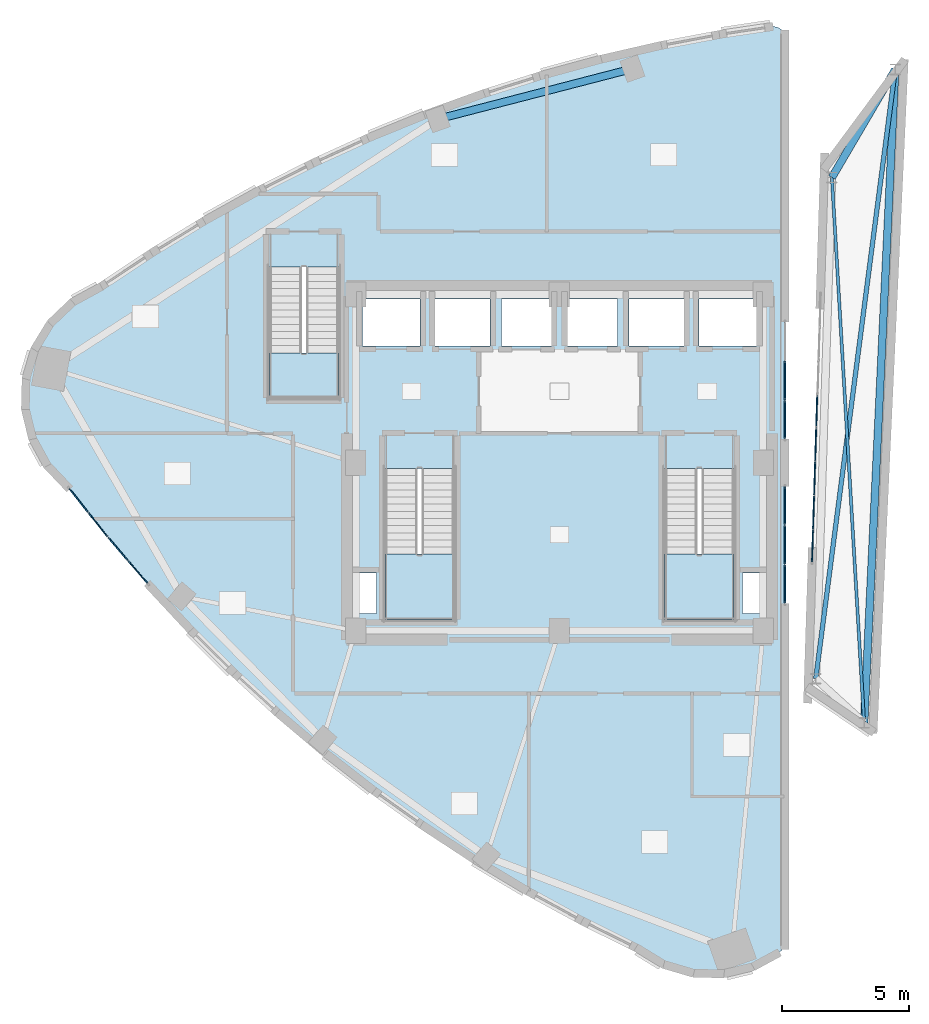
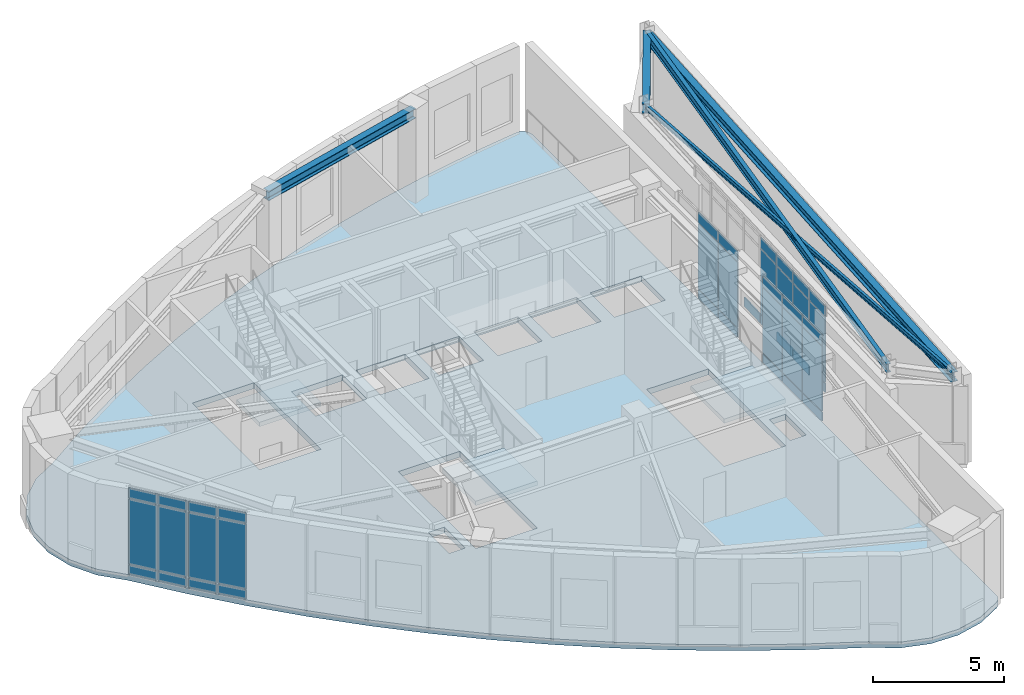
# One storey, part 12 of 19: 40 plates, 5 beams, 4 slabs, 8 elements without a shape of their own.
"""IFC4 building model written with IfcOpenShell, lengths in metres."""

from ifc_helpers import new_model, si_unit, direction, frame, origin, origin_2d, place, context, subcontext, project, spatial, polyline, rectangle, i_section, outline, extrude, material, layer, layer_set, material_profile, profile_set, type_object, element, aggregate, save


model = new_model("IFC4")

# Units and contexts
model_context = context("Model", 3, precision=1e-05, world=origin(), true_north=direction((0.0, 1.0)))
body_context = subcontext(model_context, "Body", "Model", "MODEL_VIEW")
ifc_project = project(units=[si_unit("LENGTHUNIT", "METRE"), si_unit("AREAUNIT", "SQUARE_METRE"), si_unit("VOLUMEUNIT", "CUBIC_METRE"), si_unit("PLANEANGLEUNIT", "RADIAN"), si_unit("MASSUNIT", "GRAM", prefix="KILO")], contexts=[model_context])

# Site, building, storey
site_placement = place(None, origin())
site = spatial("IfcSite", under=ifc_project, at=site_placement, CompositionType="ELEMENT")
building_placement = place(site_placement, origin())
building = spatial("IfcBuilding", under=site, at=building_placement, Name="Ndelora Gate Hotel", CompositionType="ELEMENT")
storey_placement = place(building_placement, frame((0.0, 0.0, 290.39990234375)))
storey = spatial("IfcBuildingStorey", under=building, at=storey_placement, Name="L72", CompositionType="ELEMENT", Elevation=290.39990234375)

# Beams
ifc_material_1 = material(Name="Steel S355", Category="steel")
ifc_material_profile_1 = material_profile(ifc_material_1, i_section(OverallWidth=0.1201171875, OverallDepth=0.239990234375, WebThickness=0.006103515625, FlangeThickness=0.009765625, FilletRadius=0.014892578125, at=origin_2d()), Name="IPE 240")
ifc_profile_set_1 = profile_set([ifc_material_profile_1], Name="Steel S355")
beam_type_1 = type_object("IfcBeamType", Name="BM-CRN-240", PredefinedType="SPANDREL", material=ifc_profile_set_1)
beam_1_placement = place(storey_placement, frame((11.956787109375, -10.212158203125, 4.0), z_axis=(-0.058984351472, 0.998258907439, 0.0), x_axis=(-0.998258907439, -0.058984351472, 0.0)))
element("IfcBeam", 1, at=beam_1_placement, inside=storey, type_object=beam_type_1, Name="L72 structural beam KB-1", PredefinedType="SPANDREL", context=body_context, shape_type="SweptSolid", body=[
    extrude(i_section(OverallWidth=0.1201171875, OverallDepth=0.239990234375, WebThickness=0.006103515625, FlangeThickness=0.009765625, FilletRadius=0.014892578125, at=origin_2d()), origin(), (0.0, 0.0, 1.0), 21.4404296875),
])
ifc_material_profile_2 = material_profile(ifc_material_1, i_section(OverallWidth=0.179931640625, OverallDepth=0.39990234375, WebThickness=0.008544921875, FlangeThickness=0.013427734375, FilletRadius=0.02099609375, at=origin_2d()), Name="IPE 400")
ifc_profile_set_2 = profile_set([ifc_material_profile_2], Name="Steel S355")
beam_type_2 = type_object("IfcBeamType", Name="BM-RAD-400", PredefinedType="BEAM", material=ifc_profile_set_2)
beam_2_placement = place(storey_placement, frame((10.0576171875, -8.478271484375, 3.920166015625), z_axis=(0.129384639667, 0.991594481135, 0.0), x_axis=(-0.991594481135, 0.129384639667, 0.0)))
element("IfcBeam", 2, at=beam_2_placement, inside=storey, type_object=beam_type_2, Name="L72 structural beam FB-5", PredefinedType="BEAM", context=body_context, shape_type="SweptSolid", body=[
    extrude(i_section(OverallWidth=0.179931640625, OverallDepth=0.39990234375, WebThickness=0.008544921875, FlangeThickness=0.013427734375, FilletRadius=0.02099609375, at=origin_2d()), origin(), (0.0, 0.0, 1.0), 24.109375),
])
ifc_material_profile_3 = material_profile(ifc_material_1, i_section(OverallWidth=0.300048828125, OverallDepth=0.449951171875, WebThickness=0.013916015625, FlangeThickness=0.02587890625, FilletRadius=0.027099609375, at=origin_2d()), Name="HEB 450")
ifc_profile_set_3 = profile_set([ifc_material_profile_3], Name="Steel S355")
beam_type_3 = type_object("IfcBeamType", Name="BM-RING-450", PredefinedType="SPANDREL", material=ifc_profile_set_3)
beam_3_placement = place(storey_placement, frame((2.865478515625, 15.461181640625, 3.905029296875), z_axis=(-0.968064499617, -0.250701265615, 0.0), x_axis=(0.250701265615, -0.968064499617, 0.0)))
element("IfcBeam", 3, at=beam_3_placement, inside=storey, type_object=beam_type_3, Name="L72 structural beam RB-5", PredefinedType="SPANDREL", context=body_context, shape_type="SweptSolid", body=[
    extrude(i_section(OverallWidth=0.300048828125, OverallDepth=0.449951171875, WebThickness=0.013916015625, FlangeThickness=0.02587890625, FilletRadius=0.027099609375, at=origin_2d()), origin(), (0.0, 0.0, 1.0), 7.891845703125),
])
beam_4_placement = place(storey_placement, frame((11.956787109375, -10.212158203125, 3.89501953125), z_axis=(0.047535325718, 0.998869557454, 0.0), x_axis=(-0.998869557454, 0.047535325718, 0.0)))
element("IfcBeam", 4, at=beam_4_placement, inside=storey, type_object=beam_type_3, Name="L72 structural beam RB-5", PredefinedType="SPANDREL", context=body_context, shape_type="SweptSolid", body=[
    extrude(i_section(OverallWidth=0.300048828125, OverallDepth=0.449951171875, WebThickness=0.013916015625, FlangeThickness=0.02587890625, FilletRadius=0.027099609375, at=origin_2d()), origin(), (0.0, 0.0, 1.0), 25.669677734375),
])
beam_5_placement = place(storey_placement, frame((13.177001953125, 15.428466796875, 3.89501953125), z_axis=(-0.505838113207, -0.862628427092, 0.0), x_axis=(0.862628427092, -0.505838113207, 0.0)))
element("IfcBeam", 5, at=beam_5_placement, inside=storey, type_object=beam_type_3, Name="L72 structural beam RB-5", PredefinedType="SPANDREL", context=body_context, shape_type="SweptSolid", body=[
    extrude(i_section(OverallWidth=0.300048828125, OverallDepth=0.449951171875, WebThickness=0.013916015625, FlangeThickness=0.02587890625, FilletRadius=0.027099609375, at=origin_2d()), origin(), (0.0, 0.0, 1.0), 4.912353515625),
])

# Curtain wall, plates
ifc_material_2 = material(Name="Bronze Anodised Unitised Aluminium and Low-E Glass", Category="aluminium")
ifc_layer_1 = layer(ifc_material_2, 0.199951171875)
ifc_layer_set_1 = layer_set([ifc_layer_1], Name="Bronze Anodised Unitised Aluminium and Low-E Glass")
curtain_wall_type_1 = type_object("IfcCurtainWallType", Name="CW-SYS-8", PredefinedType="NOTDEFINED", material=ifc_layer_set_1)
curtain_wall_1_placement = place(storey_placement, origin())
curtain_wall_1 = element("IfcCurtainWall", 6, at=curtain_wall_1_placement, inside=storey, type_object=curtain_wall_type_1, Name="L72 Split-Crown West Cleft Lantern Curtain Wall CW8-1", PredefinedType="NOTDEFINED")
ifc_material_3 = material(Name="Solar-Control Low-E Insulated Glazing", Category="glass")
ifc_layer_2 = layer(ifc_material_3, 0.048095703125)
ifc_layer_set_2 = layer_set([ifc_layer_2], Name="Solar-Control Low-E Insulated Glazing")
plate_type = type_object("IfcPlateType", Name="PL-CW-GLZ36", PredefinedType="CURTAIN_PANEL", material=ifc_layer_set_2)
plate_1_placement = place(storey_placement, frame((8.85009765625, -4.760009765625, 0.05419921875), z_axis=(0.0, 0.0, 1.0), x_axis=(0.0, 1.0, 0.0)))
plate_1 = element("IfcPlate", 7, at=plate_1_placement, type_object=plate_type, Name="CW8 panel 1.1", PredefinedType="CURTAIN_PANEL", context=body_context, shape_type="SweptSolid", body=[
    extrude(rectangle(XDim=1.471923828125, YDim=0.048095703125, at=origin_2d()), origin(), (0.0, 0.0, 1.0), 0.422119140625),
])
plate_2_placement = place(storey_placement, frame((8.85009765625, -4.760009765625, 0.52392578125), z_axis=(0.0, 0.0, 1.0), x_axis=(0.0, 1.0, 0.0)))
plate_2 = element("IfcPlate", 8, at=plate_2_placement, type_object=plate_type, Name="CW8 panel 1.2", PredefinedType="CURTAIN_PANEL", context=body_context, shape_type="SweptSolid", body=[
    extrude(rectangle(XDim=1.471923828125, YDim=0.048095703125, at=origin_2d()), origin(), (0.0, 0.0, 1.0), 3.031982421875),
])
plate_3_placement = place(storey_placement, frame((8.85009765625, -4.760009765625, 3.60400390625), z_axis=(0.0, 0.0, 1.0), x_axis=(0.0, 1.0, 0.0)))
plate_3 = element("IfcPlate", 9, at=plate_3_placement, type_object=plate_type, Name="CW8 panel 1.3", PredefinedType="CURTAIN_PANEL", context=body_context, shape_type="SweptSolid", body=[
    extrude(rectangle(XDim=1.471923828125, YDim=0.048095703125, at=origin_2d()), origin(), (0.0, 0.0, 1.0), 0.471923828125),
])
plate_4_placement = place(storey_placement, frame((8.85009765625, -3.22509765625, 0.05419921875), z_axis=(0.0, 0.0, 1.0), x_axis=(0.0, 1.0, 0.0)))
plate_4 = element("IfcPlate", 10, at=plate_4_placement, type_object=plate_type, Name="CW8 panel 2.1", PredefinedType="CURTAIN_PANEL", context=body_context, shape_type="SweptSolid", body=[
    extrude(rectangle(XDim=1.501953125, YDim=0.048095703125, at=origin_2d()), origin(), (0.0, 0.0, 1.0), 0.422119140625),
])
plate_5_placement = place(storey_placement, frame((8.85009765625, -3.22509765625, 0.52392578125), z_axis=(0.0, 0.0, 1.0), x_axis=(0.0, 1.0, 0.0)))
plate_5 = element("IfcPlate", 11, at=plate_5_placement, type_object=plate_type, Name="CW8 panel 2.2", PredefinedType="CURTAIN_PANEL", context=body_context, shape_type="SweptSolid", body=[
    extrude(rectangle(XDim=1.501953125, YDim=0.048095703125, at=origin_2d()), origin(), (0.0, 0.0, 1.0), 3.031982421875),
])
plate_6_placement = place(storey_placement, frame((8.85009765625, -3.22509765625, 3.60400390625), z_axis=(0.0, 0.0, 1.0), x_axis=(0.0, 1.0, 0.0)))
plate_6 = element("IfcPlate", 12, at=plate_6_placement, type_object=plate_type, Name="CW8 panel 2.3", PredefinedType="CURTAIN_PANEL", context=body_context, shape_type="SweptSolid", body=[
    extrude(rectangle(XDim=1.501953125, YDim=0.048095703125, at=origin_2d()), origin(), (0.0, 0.0, 1.0), 0.471923828125),
])
plate_7_placement = place(storey_placement, frame((8.85009765625, -1.68994140625, 0.05419921875), z_axis=(0.0, 0.0, 1.0), x_axis=(0.0, 1.0, 0.0)))
plate_7 = element("IfcPlate", 13, at=plate_7_placement, type_object=plate_type, Name="CW8 panel 3.1", PredefinedType="CURTAIN_PANEL", context=body_context, shape_type="SweptSolid", body=[
    extrude(rectangle(XDim=1.471923828125, YDim=0.048095703125, at=origin_2d()), origin(), (0.0, 0.0, 1.0), 0.422119140625),
])
plate_8_placement = place(storey_placement, frame((8.85009765625, -1.68994140625, 0.52392578125), z_axis=(0.0, 0.0, 1.0), x_axis=(0.0, 1.0, 0.0)))
plate_8 = element("IfcPlate", 14, at=plate_8_placement, type_object=plate_type, Name="CW8 panel 3.2", PredefinedType="CURTAIN_PANEL", context=body_context, shape_type="SweptSolid", body=[
    extrude(rectangle(XDim=1.471923828125, YDim=0.048095703125, at=origin_2d()), origin(), (0.0, 0.0, 1.0), 3.031982421875),
])
plate_9_placement = place(storey_placement, frame((8.85009765625, -1.68994140625, 3.60400390625), z_axis=(0.0, 0.0, 1.0), x_axis=(0.0, 1.0, 0.0)))
plate_9 = element("IfcPlate", 15, at=plate_9_placement, type_object=plate_type, Name="CW8 panel 3.3", PredefinedType="CURTAIN_PANEL", context=body_context, shape_type="SweptSolid", body=[
    extrude(rectangle(XDim=1.471923828125, YDim=0.048095703125, at=origin_2d()), origin(), (0.0, 0.0, 1.0), 0.471923828125),
])
aggregate(curtain_wall_1, [plate_1, plate_2, plate_3, plate_4, plate_5, plate_6, plate_7, plate_8, plate_9])

curtain_wall_2_placement = place(storey_placement, origin())
curtain_wall_2 = element("IfcCurtainWall", 16, at=curtain_wall_2_placement, inside=storey, type_object=curtain_wall_type_1, Name="L72 Split-Crown West Cleft Lantern Curtain Wall CW8-2", PredefinedType="NOTDEFINED")
plate_10_placement = place(storey_placement, frame((8.85009765625, 1.68994140625, 0.05419921875), z_axis=(0.0, 0.0, 1.0), x_axis=(0.0, 1.0, 0.0)))
plate_10 = element("IfcPlate", 17, at=plate_10_placement, type_object=plate_type, Name="CW8 panel 1.1", PredefinedType="CURTAIN_PANEL", context=body_context, shape_type="SweptSolid", body=[
    extrude(rectangle(XDim=1.471923828125, YDim=0.048095703125, at=origin_2d()), origin(), (0.0, 0.0, 1.0), 0.422119140625),
])
plate_11_placement = place(storey_placement, frame((8.85009765625, 1.68994140625, 0.52392578125), z_axis=(0.0, 0.0, 1.0), x_axis=(0.0, 1.0, 0.0)))
plate_11 = element("IfcPlate", 18, at=plate_11_placement, type_object=plate_type, Name="CW8 panel 1.2", PredefinedType="CURTAIN_PANEL", context=body_context, shape_type="SweptSolid", body=[
    extrude(rectangle(XDim=1.471923828125, YDim=0.048095703125, at=origin_2d()), origin(), (0.0, 0.0, 1.0), 3.031982421875),
])
plate_12_placement = place(storey_placement, frame((8.85009765625, 1.68994140625, 3.60400390625), z_axis=(0.0, 0.0, 1.0), x_axis=(0.0, 1.0, 0.0)))
plate_12 = element("IfcPlate", 19, at=plate_12_placement, type_object=plate_type, Name="CW8 panel 1.3", PredefinedType="CURTAIN_PANEL", context=body_context, shape_type="SweptSolid", body=[
    extrude(rectangle(XDim=1.471923828125, YDim=0.048095703125, at=origin_2d()), origin(), (0.0, 0.0, 1.0), 0.471923828125),
])
plate_13_placement = place(storey_placement, frame((8.85009765625, 3.22509765625, 0.05419921875), z_axis=(0.0, 0.0, 1.0), x_axis=(0.0, 1.0, 0.0)))
plate_13 = element("IfcPlate", 20, at=plate_13_placement, type_object=plate_type, Name="CW8 panel 2.1", PredefinedType="CURTAIN_PANEL", context=body_context, shape_type="SweptSolid", body=[
    extrude(rectangle(XDim=1.501953125, YDim=0.048095703125, at=origin_2d()), origin(), (0.0, 0.0, 1.0), 0.422119140625),
])
plate_14_placement = place(storey_placement, frame((8.85009765625, 3.22509765625, 0.52392578125), z_axis=(0.0, 0.0, 1.0), x_axis=(0.0, 1.0, 0.0)))
plate_14 = element("IfcPlate", 21, at=plate_14_placement, type_object=plate_type, Name="CW8 panel 2.2", PredefinedType="CURTAIN_PANEL", context=body_context, shape_type="SweptSolid", body=[
    extrude(rectangle(XDim=1.501953125, YDim=0.048095703125, at=origin_2d()), origin(), (0.0, 0.0, 1.0), 3.031982421875),
])
plate_15_placement = place(storey_placement, frame((8.85009765625, 3.22509765625, 3.60400390625), z_axis=(0.0, 0.0, 1.0), x_axis=(0.0, 1.0, 0.0)))
plate_15 = element("IfcPlate", 22, at=plate_15_placement, type_object=plate_type, Name="CW8 panel 2.3", PredefinedType="CURTAIN_PANEL", context=body_context, shape_type="SweptSolid", body=[
    extrude(rectangle(XDim=1.501953125, YDim=0.048095703125, at=origin_2d()), origin(), (0.0, 0.0, 1.0), 0.471923828125),
])
aggregate(curtain_wall_2, [plate_10, plate_11, plate_12, plate_13, plate_14, plate_15])

curtain_wall_3_placement = place(storey_placement, origin())
curtain_wall_3 = element("IfcCurtainWall", 23, at=curtain_wall_3_placement, inside=storey, type_object=curtain_wall_type_1, Name="L72 Split-Crown East Cleft Lantern Curtain Wall CW8", PredefinedType="NOTDEFINED")
plate_16_placement = place(storey_placement, frame((10.095458984375, 2.018310546875, 0.05419921875), z_axis=(0.0, 0.0, 1.0), x_axis=(-0.031131345484, -0.999515302198, 0.0)))
plate_16 = element("IfcPlate", 24, at=plate_16_placement, type_object=plate_type, Name="CW8 panel 4.1", PredefinedType="CURTAIN_PANEL", context=body_context, shape_type="SweptSolid", body=[
    extrude(rectangle(XDim=1.276611328125, YDim=0.048095703125, at=origin_2d()), origin(), (0.0, 0.0, 1.0), 0.422119140625),
])
plate_17_placement = place(storey_placement, frame((10.05419921875, 0.6943359375, 0.05419921875), z_axis=(0.0, 0.0, 1.0), x_axis=(-0.031131345484, -0.999515302198, 0.0)))
plate_17 = element("IfcPlate", 25, at=plate_17_placement, type_object=plate_type, Name="CW8 panel 5.1", PredefinedType="CURTAIN_PANEL", context=body_context, shape_type="SweptSolid", body=[
    extrude(rectangle(XDim=1.276611328125, YDim=0.048095703125, at=origin_2d()), origin(), (0.0, 0.0, 1.0), 0.422119140625),
])
plate_18_placement = place(storey_placement, frame((10.05419921875, 0.6943359375, 0.52392578125), z_axis=(0.0, 0.0, 1.0), x_axis=(-0.031131345484, -0.999515302198, 0.0)))
plate_18 = element("IfcPlate", 26, at=plate_18_placement, type_object=plate_type, Name="CW8 panel 5.2", PredefinedType="CURTAIN_PANEL", context=body_context, shape_type="SweptSolid", body=[
    extrude(rectangle(XDim=1.276611328125, YDim=0.048095703125, at=origin_2d()), origin(), (0.0, 0.0, 1.0), 3.031982421875),
])
plate_19_placement = place(storey_placement, frame((10.05419921875, 0.6943359375, 3.60400390625), z_axis=(0.0, 0.0, 1.0), x_axis=(-0.031131345484, -0.999515302198, 0.0)))
plate_19 = element("IfcPlate", 27, at=plate_19_placement, type_object=plate_type, Name="CW8 panel 5.3", PredefinedType="CURTAIN_PANEL", context=body_context, shape_type="SweptSolid", body=[
    extrude(rectangle(XDim=1.276611328125, YDim=0.048095703125, at=origin_2d()), origin(), (0.0, 0.0, 1.0), 0.471923828125),
])
plate_20_placement = place(storey_placement, frame((10.012939453125, -0.629638671875, 0.05419921875), z_axis=(0.0, 0.0, 1.0), x_axis=(-0.031131345484, -0.999515302198, 0.0)))
plate_20 = element("IfcPlate", 28, at=plate_20_placement, type_object=plate_type, Name="CW8 panel 6.1", PredefinedType="CURTAIN_PANEL", context=body_context, shape_type="SweptSolid", body=[
    extrude(rectangle(XDim=1.276611328125, YDim=0.048095703125, at=origin_2d()), origin(), (0.0, 0.0, 1.0), 0.422119140625),
])
plate_21_placement = place(storey_placement, frame((10.012939453125, -0.629638671875, 0.52392578125), z_axis=(0.0, 0.0, 1.0), x_axis=(-0.031131345484, -0.999515302198, 0.0)))
plate_21 = element("IfcPlate", 29, at=plate_21_placement, type_object=plate_type, Name="CW8 panel 6.2", PredefinedType="CURTAIN_PANEL", context=body_context, shape_type="SweptSolid", body=[
    extrude(rectangle(XDim=1.276611328125, YDim=0.048095703125, at=origin_2d()), origin(), (0.0, 0.0, 1.0), 3.031982421875),
])
plate_22_placement = place(storey_placement, frame((10.012939453125, -0.629638671875, 3.60400390625), z_axis=(0.0, 0.0, 1.0), x_axis=(-0.031131345484, -0.999515302198, 0.0)))
plate_22 = element("IfcPlate", 30, at=plate_22_placement, type_object=plate_type, Name="CW8 panel 6.3", PredefinedType="CURTAIN_PANEL", context=body_context, shape_type="SweptSolid", body=[
    extrude(rectangle(XDim=1.276611328125, YDim=0.048095703125, at=origin_2d()), origin(), (0.0, 0.0, 1.0), 0.471923828125),
])
plate_23_placement = place(storey_placement, frame((9.9716796875, -1.95361328125, 0.05419921875), z_axis=(0.0, 0.0, 1.0), x_axis=(-0.031131345484, -0.999515302198, 0.0)))
plate_23 = element("IfcPlate", 31, at=plate_23_placement, type_object=plate_type, Name="CW8 panel 7.1", PredefinedType="CURTAIN_PANEL", context=body_context, shape_type="SweptSolid", body=[
    extrude(rectangle(XDim=1.276611328125, YDim=0.048095703125, at=origin_2d()), origin(), (0.0, 0.0, 1.0), 0.422119140625),
])
plate_24_placement = place(storey_placement, frame((9.9716796875, -1.95361328125, 0.52392578125), z_axis=(0.0, 0.0, 1.0), x_axis=(-0.031131345484, -0.999515302198, 0.0)))
plate_24 = element("IfcPlate", 32, at=plate_24_placement, type_object=plate_type, Name="CW8 panel 7.2", PredefinedType="CURTAIN_PANEL", context=body_context, shape_type="SweptSolid", body=[
    extrude(rectangle(XDim=1.276611328125, YDim=0.048095703125, at=origin_2d()), origin(), (0.0, 0.0, 1.0), 3.031982421875),
])
plate_25_placement = place(storey_placement, frame((9.9716796875, -1.95361328125, 3.60400390625), z_axis=(0.0, 0.0, 1.0), x_axis=(-0.031131345484, -0.999515302198, 0.0)))
plate_25 = element("IfcPlate", 33, at=plate_25_placement, type_object=plate_type, Name="CW8 panel 7.3", PredefinedType="CURTAIN_PANEL", context=body_context, shape_type="SweptSolid", body=[
    extrude(rectangle(XDim=1.276611328125, YDim=0.048095703125, at=origin_2d()), origin(), (0.0, 0.0, 1.0), 0.471923828125),
])
plate_26_placement = place(storey_placement, frame((9.930908203125, -3.2626953125, 0.05419921875), z_axis=(0.0, 0.0, 1.0), x_axis=(-0.031131345484, -0.999515302198, 0.0)))
plate_26 = element("IfcPlate", 34, at=plate_26_placement, type_object=plate_type, Name="CW8 panel 8.1", PredefinedType="CURTAIN_PANEL", context=body_context, shape_type="SweptSolid", body=[
    extrude(rectangle(XDim=1.24658203125, YDim=0.048095703125, at=origin_2d()), origin(), (0.0, 0.0, 1.0), 0.422119140625),
])
plate_27_placement = place(storey_placement, frame((9.930908203125, -3.2626953125, 0.52392578125), z_axis=(0.0, 0.0, 1.0), x_axis=(-0.031131345484, -0.999515302198, 0.0)))
plate_27 = element("IfcPlate", 35, at=plate_27_placement, type_object=plate_type, Name="CW8 panel 8.2", PredefinedType="CURTAIN_PANEL", context=body_context, shape_type="SweptSolid", body=[
    extrude(rectangle(XDim=1.24658203125, YDim=0.048095703125, at=origin_2d()), origin(), (0.0, 0.0, 1.0), 3.031982421875),
])
plate_28_placement = place(storey_placement, frame((9.930908203125, -3.2626953125, 3.60400390625), z_axis=(0.0, 0.0, 1.0), x_axis=(-0.031131345484, -0.999515302198, 0.0)))
plate_28 = element("IfcPlate", 36, at=plate_28_placement, type_object=plate_type, Name="CW8 panel 8.3", PredefinedType="CURTAIN_PANEL", context=body_context, shape_type="SweptSolid", body=[
    extrude(rectangle(XDim=1.24658203125, YDim=0.048095703125, at=origin_2d()), origin(), (0.0, 0.0, 1.0), 0.471923828125),
])
aggregate(curtain_wall_3, [plate_16, plate_17, plate_18, plate_19, plate_20, plate_21, plate_22, plate_23, plate_24, plate_25, plate_26, plate_27, plate_28])

ifc_layer_3 = layer(ifc_material_2, 0.219970703125)
ifc_layer_set_3 = layer_set([ifc_layer_3], Name="Bronze Anodised Unitised Aluminium and Low-E Glass")
curtain_wall_type_2 = type_object("IfcCurtainWallType", Name="CW-SYS-7", PredefinedType="NOTDEFINED", material=ifc_layer_set_3)
curtain_wall_4_placement = place(storey_placement, origin())
curtain_wall_4 = element("IfcCurtainWall", 37, at=curtain_wall_4_placement, inside=storey, type_object=curtain_wall_type_2, Name="L72 West Peak Horizon Observatory Curtain Wall 1", PredefinedType="NOTDEFINED")
plate_29_placement = place(storey_placement, frame((-18.866943359375, -1.484619140625, 0.05908203125), z_axis=(0.0, 0.0, 1.0), x_axis=(0.62162196359, -0.783317390578, 0.0)))
plate_29 = element("IfcPlate", 38, at=plate_29_placement, type_object=plate_type, Name="CW7 panel 1.1", PredefinedType="CURTAIN_PANEL", context=body_context, shape_type="SweptSolid", body=[
    extrude(rectangle(XDim=1.16259765625, YDim=0.048095703125, at=origin_2d()), origin(), (0.0, 0.0, 1.0), 0.41455078125),
])
plate_30_placement = place(storey_placement, frame((-18.866943359375, -1.484619140625, 0.5263671875), z_axis=(0.0, 0.0, 1.0), x_axis=(0.62162196359, -0.783317390578, 0.0)))
plate_30 = element("IfcPlate", 39, at=plate_30_placement, type_object=plate_type, Name="CW7 panel 1.2", PredefinedType="CURTAIN_PANEL", context=body_context, shape_type="SweptSolid", body=[
    extrude(rectangle(XDim=1.16259765625, YDim=0.048095703125, at=origin_2d()), origin(), (0.0, 0.0, 1.0), 3.027099609375),
])
plate_31_placement = place(storey_placement, frame((-18.866943359375, -1.484619140625, 3.6064453125), z_axis=(0.0, 0.0, 1.0), x_axis=(0.62162196359, -0.783317390578, 0.0)))
plate_31 = element("IfcPlate", 40, at=plate_31_placement, type_object=plate_type, Name="CW7 panel 1.3", PredefinedType="CURTAIN_PANEL", context=body_context, shape_type="SweptSolid", body=[
    extrude(rectangle(XDim=1.16259765625, YDim=0.048095703125, at=origin_2d()), origin(), (0.0, 0.0, 1.0), 0.464599609375),
])
plate_32_placement = place(storey_placement, frame((-18.111328125, -2.436767578125, 0.05908203125), z_axis=(0.0, 0.0, 1.0), x_axis=(0.62162196359, -0.783317390578, 0.0)))
plate_32 = element("IfcPlate", 41, at=plate_32_placement, type_object=plate_type, Name="CW7 panel 2.1", PredefinedType="CURTAIN_PANEL", context=body_context, shape_type="SweptSolid", body=[
    extrude(rectangle(XDim=1.16259765625, YDim=0.048095703125, at=origin_2d()), origin(), (0.0, 0.0, 1.0), 0.41455078125),
])
plate_33_placement = place(storey_placement, frame((-18.111328125, -2.436767578125, 0.5263671875), z_axis=(0.0, 0.0, 1.0), x_axis=(0.62162196359, -0.783317390578, 0.0)))
plate_33 = element("IfcPlate", 42, at=plate_33_placement, type_object=plate_type, Name="CW7 panel 2.2", PredefinedType="CURTAIN_PANEL", context=body_context, shape_type="SweptSolid", body=[
    extrude(rectangle(XDim=1.16259765625, YDim=0.048095703125, at=origin_2d()), origin(), (0.0, 0.0, 1.0), 3.027099609375),
])
plate_34_placement = place(storey_placement, frame((-18.111328125, -2.436767578125, 3.6064453125), z_axis=(0.0, 0.0, 1.0), x_axis=(0.62162196359, -0.783317390578, 0.0)))
plate_34 = element("IfcPlate", 43, at=plate_34_placement, type_object=plate_type, Name="CW7 panel 2.3", PredefinedType="CURTAIN_PANEL", context=body_context, shape_type="SweptSolid", body=[
    extrude(rectangle(XDim=1.16259765625, YDim=0.048095703125, at=origin_2d()), origin(), (0.0, 0.0, 1.0), 0.464599609375),
])
aggregate(curtain_wall_4, [plate_29, plate_30, plate_31, plate_32, plate_33, plate_34])

curtain_wall_5_placement = place(storey_placement, origin())
curtain_wall_5 = element("IfcCurtainWall", 44, at=curtain_wall_5_placement, inside=storey, type_object=curtain_wall_type_2, Name="L72 West Peak Horizon Observatory Curtain Wall 2", PredefinedType="NOTDEFINED")
plate_35_placement = place(storey_placement, frame((-17.325927734375, -3.387939453125, 0.05908203125), z_axis=(0.0, 0.0, 1.0), x_axis=(0.651638229475, -0.75852990573, 0.0)))
plate_35 = element("IfcPlate", 45, at=plate_35_placement, type_object=plate_type, Name="CW7 panel 1.1", PredefinedType="CURTAIN_PANEL", context=body_context, shape_type="SweptSolid", body=[
    extrude(rectangle(XDim=1.14892578125, YDim=0.048095703125, at=origin_2d()), origin(), (0.0, 0.0, 1.0), 0.41455078125),
])
plate_36_placement = place(storey_placement, frame((-17.325927734375, -3.387939453125, 0.5263671875), z_axis=(0.0, 0.0, 1.0), x_axis=(0.651638229475, -0.75852990573, 0.0)))
plate_36 = element("IfcPlate", 46, at=plate_36_placement, type_object=plate_type, Name="CW7 panel 1.2", PredefinedType="CURTAIN_PANEL", context=body_context, shape_type="SweptSolid", body=[
    extrude(rectangle(XDim=1.14892578125, YDim=0.048095703125, at=origin_2d()), origin(), (0.0, 0.0, 1.0), 3.027099609375),
])
plate_37_placement = place(storey_placement, frame((-17.325927734375, -3.387939453125, 3.6064453125), z_axis=(0.0, 0.0, 1.0), x_axis=(0.651638229475, -0.75852990573, 0.0)))
plate_37 = element("IfcPlate", 47, at=plate_37_placement, type_object=plate_type, Name="CW7 panel 1.3", PredefinedType="CURTAIN_PANEL", context=body_context, shape_type="SweptSolid", body=[
    extrude(rectangle(XDim=1.14892578125, YDim=0.048095703125, at=origin_2d()), origin(), (0.0, 0.0, 1.0), 0.464599609375),
])
plate_38_placement = place(storey_placement, frame((-16.542724609375, -4.2998046875, 0.05908203125), z_axis=(0.0, 0.0, 1.0), x_axis=(0.651638229475, -0.75852990573, 0.0)))
plate_38 = element("IfcPlate", 48, at=plate_38_placement, type_object=plate_type, Name="CW7 panel 2.1", PredefinedType="CURTAIN_PANEL", context=body_context, shape_type="SweptSolid", body=[
    extrude(rectangle(XDim=1.14892578125, YDim=0.048095703125, at=origin_2d()), origin(), (0.0, 0.0, 1.0), 0.41455078125),
])
plate_39_placement = place(storey_placement, frame((-16.542724609375, -4.2998046875, 0.5263671875), z_axis=(0.0, 0.0, 1.0), x_axis=(0.651638229475, -0.75852990573, 0.0)))
plate_39 = element("IfcPlate", 49, at=plate_39_placement, type_object=plate_type, Name="CW7 panel 2.2", PredefinedType="CURTAIN_PANEL", context=body_context, shape_type="SweptSolid", body=[
    extrude(rectangle(XDim=1.14892578125, YDim=0.048095703125, at=origin_2d()), origin(), (0.0, 0.0, 1.0), 3.027099609375),
])
plate_40_placement = place(storey_placement, frame((-16.542724609375, -4.2998046875, 3.6064453125), z_axis=(0.0, 0.0, 1.0), x_axis=(0.651638229475, -0.75852990573, 0.0)))
plate_40 = element("IfcPlate", 50, at=plate_40_placement, type_object=plate_type, Name="CW7 panel 2.3", PredefinedType="CURTAIN_PANEL", context=body_context, shape_type="SweptSolid", body=[
    extrude(rectangle(XDim=1.14892578125, YDim=0.048095703125, at=origin_2d()), origin(), (0.0, 0.0, 1.0), 0.464599609375),
])
aggregate(curtain_wall_5, [plate_35, plate_36, plate_37, plate_38, plate_39, plate_40])

# Stair, slab
ifc_material_4 = material(Name="Precast concrete C40/50", Category="concrete")
stair_type = type_object("IfcStairType", Name="STR-DOG-CORE", PredefinedType="HALF_TURN_STAIR", material=ifc_material_4)
stair_1_placement = place(storey_placement, origin())
stair_1 = element("IfcStair", 51, at=stair_1_placement, inside=storey, type_object=stair_type, Name="L72 Protected Core Exit Stair ST4", PredefinedType="HALF_TURN_STAIR")
ifc_layer_4 = layer(ifc_material_4, 0.219970703125)
ifc_layer_set_4 = layer_set([ifc_layer_4], Name="Precast concrete C40/50")
slab_type_1 = type_object("IfcSlabType", Name="SL-LAND-220", PredefinedType="LANDING", material=ifc_layer_set_4)
slab_1_placement = place(storey_placement, frame((0.0, 0.0, 2.0)))
slab_1 = element("IfcSlab", 52, at=slab_1_placement, type_object=slab_type_1, Name="ST4 landing 1", PredefinedType="LANDING", context=body_context, shape_type="SweptSolid", body=[
    extrude(outline(polyline([(-6.85009765625, -3.590087890625), (-6.85009765625, -6.14990234375), (-4.1298828125, -6.14990234375), (-4.1298828125, -3.590087890625), (-6.85009765625, -3.590087890625)])), origin(), (0.0, 0.0, 1.0), 0.2001953125),
])
aggregate(stair_1, [slab_1])

stair_2_placement = place(storey_placement, origin())
stair_2 = element("IfcStair", 53, at=stair_2_placement, inside=storey, type_object=stair_type, Name="L72 Protected Core Exit Stair ST5", PredefinedType="HALF_TURN_STAIR")
slab_2_placement = place(storey_placement, frame((0.0, 0.0, 2.0)))
slab_2 = element("IfcSlab", 54, at=slab_2_placement, type_object=slab_type_1, Name="ST5 landing 1", PredefinedType="LANDING", context=body_context, shape_type="SweptSolid", body=[
    extrude(outline(polyline([(4.1298828125, -3.590087890625), (4.1298828125, -6.14990234375), (6.85009765625, -6.14990234375), (6.85009765625, -3.590087890625), (4.1298828125, -3.590087890625)])), origin(), (0.0, 0.0, 1.0), 0.2001953125),
])
aggregate(stair_2, [slab_2])

stair_3_placement = place(storey_placement, origin())
stair_3 = element("IfcStair", 55, at=stair_3_placement, inside=storey, type_object=stair_type, Name="L72 Crown Observation Exit Stair ST6", PredefinedType="HALF_TURN_STAIR")
slab_3_placement = place(storey_placement, frame((0.0, 0.0, 2.0)))
slab_3 = element("IfcSlab", 56, at=slab_3_placement, type_object=slab_type_1, Name="ST6 landing 1", PredefinedType="LANDING", context=body_context, shape_type="SweptSolid", body=[
    extrude(outline(polyline([(-11.389892578125, 4.31005859375), (-11.389892578125, 2.550048828125), (-8.669921875, 2.550048828125), (-8.669921875, 4.31005859375), (-11.389892578125, 4.31005859375)])), origin(), (0.0, 0.0, 1.0), 0.2001953125),
])
aggregate(stair_3, [slab_3])

# Slab
ifc_material_5 = material(Name="Concrete C40/50", Category="concrete")
ifc_layer_5 = layer(ifc_material_5, 0.27001953125)
ifc_layer_set_5 = layer_set([ifc_layer_5], Name="Concrete C40/50")
slab_type_2 = type_object("IfcSlabType", Name="SL-OBS-270", PredefinedType="FLOOR", material=ifc_layer_set_5)
slab_4_placement = place(storey_placement, frame((0.0, 0.0, -0.27001953125)))
element("IfcSlab", 57, at=slab_4_placement, inside=storey, type_object=slab_type_2, Name="L72 Structural Floor Slab", PredefinedType="FLOOR", context=body_context, shape_type="SweptSolid", body=[
    extrude(outline(polyline([(-18.02685546875, 6.884033203125), (-19.079833984375, 6.310302734375), (-19.14111328125, 6.26171875), (-19.94921875, 5.4921875), (-19.99609375, 5.42919921875), (-20.57763671875, 4.476806640625), (-20.606201171875, 4.40380859375), (-20.921630859375, 3.33349609375), (-20.930419921875, 3.255615234375), (-20.9580078125, 2.14013671875), (-20.9462890625, 2.0625), (-20.68408203125, 0.977783203125), (-20.653076171875, 0.906005859375), (-20.118896484375, -0.073974609375), (-20.0703125, -0.13525390625), (-19.25244140625, -0.998779296875), (-17.7255859375, -2.922607421875), (-16.142822265625, -4.764892578125), (-14.499267578125, -6.53173828125), (-12.794921875, -8.22314453125), (-11.029541015625, -9.839111328125), (-9.203369140625, -11.3798828125), (-7.31640625, -12.84521484375), (-5.3681640625, -14.235107421875), (-3.359130859375, -15.550048828125), (-1.2890625, -16.789794921875), (0.842041015625, -17.9541015625), (3.051513671875, -19.0537109375), (4.074951171875, -19.6787109375), (4.14794921875, -19.70751953125), (5.21826171875, -20.022705078125), (5.296142578125, -20.03173828125), (6.41162109375, -20.05908203125), (6.4892578125, -20.047607421875), (7.573974609375, -19.785400390625), (7.645751953125, -19.754150390625), (8.592041015625, -19.240234375), (8.657470703125, -19.197021484375), (8.709716796875, -19.149658203125), (8.769287109375, -19.08056640625), (8.8134765625, -19.0009765625), (8.8408203125, -18.9140625), (8.85009765625, -18.8232421875), (8.84765625, 16.70947265625), (8.82958984375, 16.798583984375), (8.793701171875, 16.8818359375), (8.741943359375, 16.95654296875), (8.676513671875, 17.019287109375), (8.599609375, 17.0673828125), (8.514404296875, 17.099365234375), (8.4248046875, 17.11328125), (8.333984375, 17.109375), (6.331787109375, 16.812255859375), (3.94482421875, 16.362548828125), (1.593017578125, 15.82275390625), (-0.723876953125, 15.192138671875), (-3.006103515625, 14.471435546875), (-5.25341796875, 13.66015625), (-7.466064453125, 12.7587890625), (-9.64404296875, 11.7666015625), (-11.787109375, 10.68408203125), (-13.895751953125, 9.51123046875), (-15.9697265625, 8.247802734375), (-18.02685546875, 6.884033203125)]), holes=[polyline([(-6.85009765625, -0.22998046875), (-6.85009765625, -6.14990234375), (-4.1298828125, -6.14990234375), (-4.1298828125, -0.22998046875), (-6.85009765625, -0.22998046875)]), polyline([(4.1298828125, -0.22998046875), (4.1298828125, -6.14990234375), (6.85009765625, -6.14990234375), (6.85009765625, -0.22998046875), (4.1298828125, -0.22998046875)]), polyline([(-11.389892578125, 7.669921875), (-11.389892578125, 2.550048828125), (-8.669921875, 2.550048828125), (-8.669921875, 7.669921875), (-11.389892578125, 7.669921875)]), polyline([(-7.72998046875, 4.570068359375), (-5.469970703125, 4.570068359375), (-5.469970703125, 6.429931640625), (-7.72998046875, 6.429931640625), (-7.72998046875, 4.570068359375)]), polyline([(5.469970703125, 4.570068359375), (7.72998046875, 4.570068359375), (7.72998046875, 6.429931640625), (5.469970703125, 6.429931640625), (5.469970703125, 4.570068359375)]), polyline([(-4.8798828125, 4.570068359375), (-2.719970703125, 4.570068359375), (-2.719970703125, 6.429931640625), (-4.8798828125, 6.429931640625), (-4.8798828125, 4.570068359375)]), polyline([(2.719970703125, 4.570068359375), (4.8798828125, 4.570068359375), (4.8798828125, 6.429931640625), (2.719970703125, 6.429931640625), (2.719970703125, 4.570068359375)]), polyline([(-2.280029296875, 4.570068359375), (-0.320068359375, 4.570068359375), (-0.320068359375, 6.429931640625), (-2.280029296875, 6.429931640625), (-2.280029296875, 4.570068359375)]), polyline([(0.320068359375, 4.570068359375), (2.280029296875, 4.570068359375), (2.280029296875, 6.429931640625), (0.320068359375, 6.429931640625), (0.320068359375, 4.570068359375)]), polyline([(-7.89990234375, -5.919921875), (-7.179931640625, -5.919921875), (-7.179931640625, -4.320068359375), (-7.89990234375, -4.320068359375), (-7.89990234375, -5.919921875)]), polyline([(7.179931640625, -5.919921875), (7.89990234375, -5.919921875), (7.89990234375, -4.320068359375), (7.179931640625, -4.320068359375), (7.179931640625, -5.919921875)])]), origin(), (0.0, 0.0, 1.0), 0.27001953125),
])

save(model, "model.ifc")
